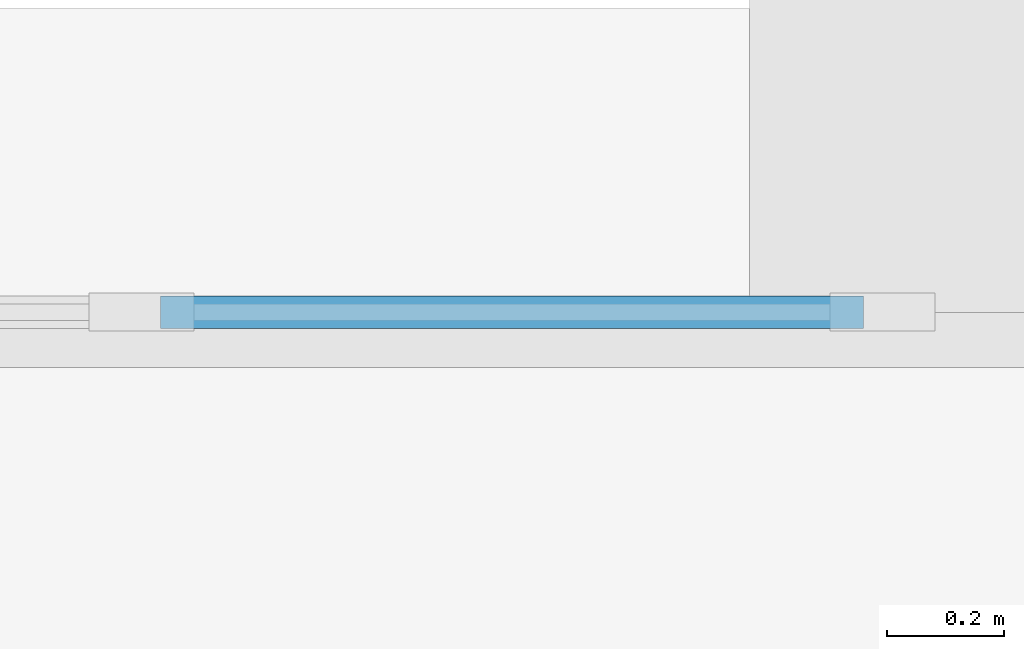
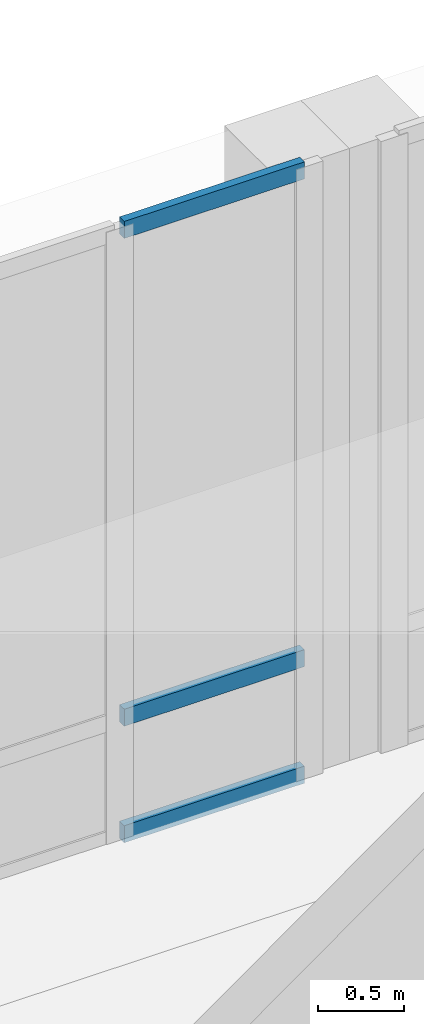
# One storey, part 60 of 140: 3 members, 1 element without a shape of its own.
"""IFC4 building model written with IfcOpenShell, lengths in metres."""

from ifc_helpers import new_model, si_unit, direction, frame, origin, origin_2d, place, context, subcontext, project, spatial, rectangle, extrude, material, material_profile, profile_set, type_object, element, aggregate, save


model = new_model("IFC4")

# Units and contexts
model_context = context("Model", 3, precision=1e-05, world=origin(), true_north=direction((0.0, 1.0)))
body_context = subcontext(model_context, "Body", "Model", "MODEL_VIEW")
ifc_project = project(units=[si_unit("LENGTHUNIT", "METRE"), si_unit("AREAUNIT", "SQUARE_METRE"), si_unit("VOLUMEUNIT", "CUBIC_METRE"), si_unit("PLANEANGLEUNIT", "RADIAN"), si_unit("MASSUNIT", "GRAM", prefix="KILO"), si_unit("THERMODYNAMICTEMPERATUREUNIT", "KELVIN"), si_unit("POWERUNIT", "WATT")], contexts=[model_context])

# Site, building, storey
site_placement = place(None, origin())
site = spatial("IfcSite", under=ifc_project, at=site_placement, CompositionType="ELEMENT")
building_placement = place(site_placement, origin())
building = spatial("IfcBuilding", under=site, at=building_placement, Name="Tallowbark Science Centre", CompositionType="ELEMENT")
storey_placement = place(building_placement, frame((0.0, 0.0, 9.89990234375)))
storey = spatial("IfcBuildingStorey", under=building, at=storey_placement, Name="L02", CompositionType="ELEMENT", Elevation=9.89990234375)

# Curtain wall, members
ifc_material_1 = material(Name="Unitised Thermally Broken Aluminium and Low-E Double Glazing", Category="aluminium")
curtain_wall_type = type_object("IfcCurtainWallType", Name="CW-SYS-FACADE", PredefinedType="NOTDEFINED", material=ifc_material_1)
curtain_wall_placement = place(storey_placement, origin())
curtain_wall = element("IfcCurtainWall", 1, at=curtain_wall_placement, inside=storey, type_object=curtain_wall_type, Name="Unitised Curtain Wall OBS-N-130B CW-L02-149", PredefinedType="NOTDEFINED")
ifc_material_2 = material(Name="Anodised Architectural Aluminium Alloy 6063-T6", Category="aluminium")
ifc_material_profile = material_profile(ifc_material_2, rectangle(XDim=0.054931640625, YDim=0.1201171875, at=origin_2d()), Name="ALU55x120")
ifc_profile_set = profile_set([ifc_material_profile], Name="Anodised Architectural Aluminium Alloy 6063-T6")
member_type = type_object("IfcMemberType", Name="CWM-TRN-150", PredefinedType="USERDEFINED", material=ifc_profile_set)
member_1_placement = place(storey_placement, frame((134.68505859375, 111.60009765625, 0.027587890625), z_axis=(-1.0, 0.0, 0.0), x_axis=(0.0, -1.0, 0.0)))
member_1 = element("IfcMember", 2, at=member_1_placement, type_object=member_type, Name="CW-01 transom 1.1", ObjectType="TRANSOM", PredefinedType="USERDEFINED", context=body_context, shape_type="SweptSolid", body=[
    extrude(rectangle(XDim=0.054931640625, YDim=0.1201171875, at=origin_2d()), origin(), (0.0, 0.0, 1.0), 1.20263671875),
])
member_2_placement = place(storey_placement, frame((134.68505859375, 111.60009765625, 0.85009765625), z_axis=(-1.0, 0.0, 0.0), x_axis=(0.0, -1.0, 0.0)))
member_2 = element("IfcMember", 3, at=member_2_placement, type_object=member_type, Name="CW-01 transom 1.2", ObjectType="TRANSOM", PredefinedType="USERDEFINED", context=body_context, shape_type="SweptSolid", body=[
    extrude(rectangle(XDim=0.054931640625, YDim=0.1201171875, at=origin_2d()), origin(), (0.0, 0.0, 1.0), 1.20263671875),
])
member_3_placement = place(storey_placement, frame((134.68505859375, 111.60009765625, 4.29248046875), z_axis=(-1.0, 0.0, 0.0), x_axis=(0.0, -1.0, 0.0)))
member_3 = element("IfcMember", 4, at=member_3_placement, type_object=member_type, Name="CW-01 transom 1.3", ObjectType="TRANSOM", PredefinedType="USERDEFINED", context=body_context, shape_type="SweptSolid", body=[
    extrude(rectangle(XDim=0.054931640625, YDim=0.1201171875, at=origin_2d()), origin(), (0.0, 0.0, 1.0), 1.20263671875),
])
aggregate(curtain_wall, [member_1, member_2, member_3])

save(model, "model.ifc")
